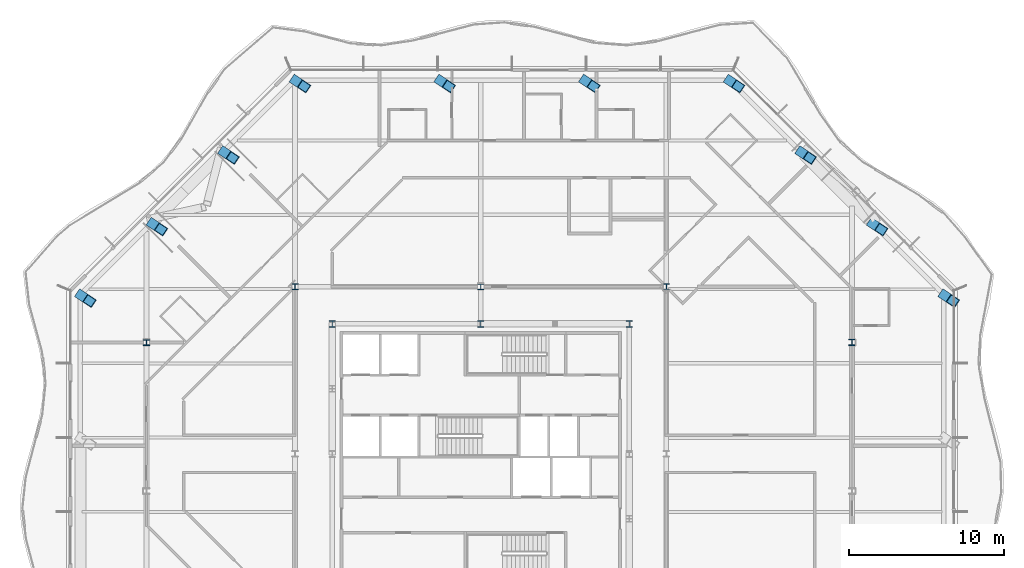
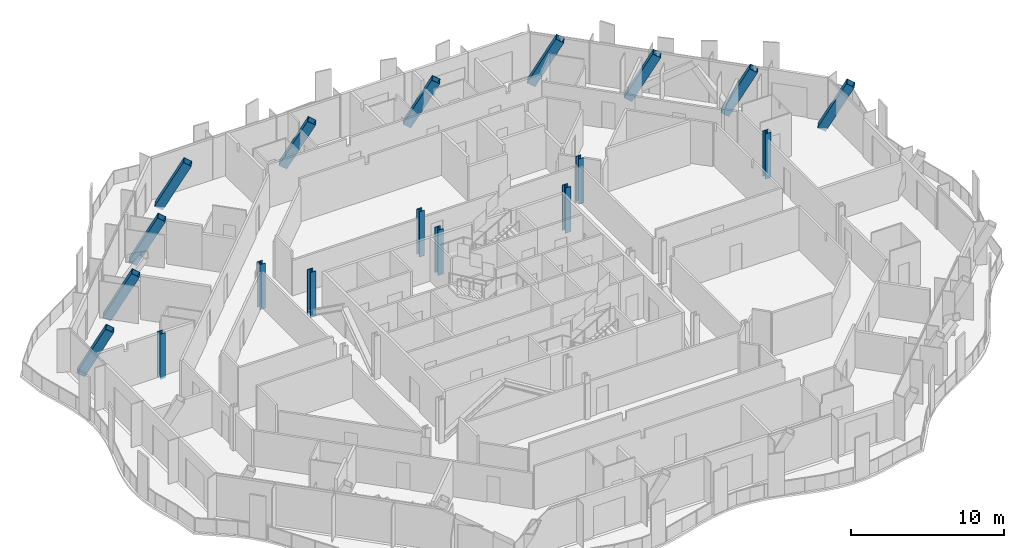
# One storey, part 2 of 21: 18 columns.
"""IFC4 building model written with IfcOpenShell, lengths in metres."""

from ifc_helpers import new_model, si_unit, direction, frame, origin, origin_2d, place, context, subcontext, project, spatial, hollow_rectangle, i_section, extrude, clip, halfspace, material, material_profile, profile_set, type_object, element, save


model = new_model("IFC4")

# Units and contexts
model_context = context("Model", 3, precision=1e-05, world=origin(), true_north=direction((0.0, 1.0)))
body_context = subcontext(model_context, "Body", "Model", "MODEL_VIEW")
ifc_project = project(units=[si_unit("LENGTHUNIT", "METRE"), si_unit("AREAUNIT", "SQUARE_METRE"), si_unit("VOLUMEUNIT", "CUBIC_METRE"), si_unit("PLANEANGLEUNIT", "RADIAN"), si_unit("MASSUNIT", "GRAM", prefix="KILO")], contexts=[model_context])

# Site, building, storey
site_placement = place(None, origin())
site = spatial("IfcSite", under=ifc_project, at=site_placement, CompositionType="ELEMENT")
building_placement = place(site_placement, origin())
building = spatial("IfcBuilding", under=site, at=building_placement, Name="Cairn Pilgrim Tower", CompositionType="ELEMENT")
storey_placement = place(building_placement, frame((0.0, 0.0, 183.0)))
storey = spatial("IfcBuildingStorey", under=building, at=storey_placement, Name="L46", CompositionType="ELEMENT", Elevation=183.0)

# Columns
ifc_material_1 = material(Name="Structural steel S460M", Category="steel")
ifc_material_profile_1 = material_profile(ifc_material_1, hollow_rectangle(XDim=0.60009765625, YDim=0.60009765625, WallThickness=0.034912109375, at=origin_2d()), Name="BOX 600x600x35")
ifc_profile_set_1 = profile_set([ifc_material_profile_1], Name="Structural steel S460M")
column_type_1 = type_object("IfcColumnType", Name="BOX 600x600x35", PredefinedType="COLUMN", material=ifc_profile_set_1)
for number, where, z_axis, x_axis, name in (
    (1, (37.125, 12.67724609375, -0.14990234375), (0.387233423141, -0.258175624389, 0.885096391911), (0.554729959787, 0.832030451194, 0.0), "PC2-NE1"),
    (2, (32.500732421875, 17.301513671875, -0.14990234375), (0.387233423141, -0.258175624389, 0.885096391911), (0.554729959787, 0.832030451194, 0.0), "PC2-NE2"),
    (3, (27.87646484375, 21.92578125, -0.14990234375), (0.387233423141, -0.258175624389, 0.885096391911), (0.554729959787, 0.832030451194, 0.0), "PC2-NE3"),
    (4, (23.252197265625, 26.550048828125, -0.14990234375), (0.387233423141, -0.258175624389, 0.885096391911), (0.554729959787, 0.832030451194, 0.0), "PC2-N1"),
    (5, (13.900634765625, 26.550048828125, -0.14990234375), (0.387233423141, -0.258175624389, 0.885096391911), (0.554729959787, 0.832030451194, 0.0), "PC2-N2"),
    (6, (4.54931640625, 26.550048828125, -0.14990234375), (0.387233423141, -0.258175624389, 0.885096391911), (0.554729959787, 0.832030451194, 0.0), "PC2-N3"),
    (7, (-4.80224609375, 26.550048828125, -0.14990234375), (0.387233423141, -0.258175624389, 0.885096391911), (0.554729959787, 0.832030451194, 0.0), "PC2-NW1"),
    (8, (-9.426513671875, 21.92578125, -0.14990234375), (0.387233423141, -0.258175624389, 0.885096391911), (0.554729959787, 0.832030451194, 0.0), "PC2-NW2"),
):
    element("IfcColumn", number, at=place(storey_placement, frame(where, z_axis=z_axis, x_axis=x_axis)), inside=storey, type_object=column_type_1, Name=name, PredefinedType="COLUMN", context=body_context, shape_type="Clipping", body=[
        clip(extrude(hollow_rectangle(XDim=0.60009765625, YDim=0.60009765625, WallThickness=0.034912109375, at=origin_2d()), origin(), (0.0, 0.0, 1.0), 4.067138671875), halfspace(frame((0.0, 0.0, 0.0185546875), z_axis=(0.0, 0.0, 1.0), x_axis=(1.0, 0.0, 0.0)), True)),
    ])
column_1_placement = place(storey_placement, frame((-14.05078125, 17.301513671875, -0.14990234375), z_axis=(0.387284447231, -0.258169622991, 0.885075817486), x_axis=(0.554670435147, 0.832070134288, 0.0)))
element("IfcColumn", 9, at=column_1_placement, inside=storey, type_object=column_type_1, Name="PC2-NW3", PredefinedType="COLUMN", context=body_context, shape_type="Clipping", body=[
    clip(extrude(hollow_rectangle(XDim=0.60009765625, YDim=0.60009765625, WallThickness=0.034912109375, at=origin_2d()), origin(), (0.0, 0.0, 1.0), 4.0673828125), halfspace(frame((0.0, 0.0, 0.0185546875), z_axis=(0.0, 0.0, 1.0), x_axis=(1.0, 0.0, 0.0)), True)),
])
column_2_placement = place(storey_placement, frame((-18.675048828125, 12.67724609375, -0.14990234375), z_axis=(0.387233423141, -0.258175624389, 0.885096391911), x_axis=(0.554729959787, 0.832030451194, 0.0)))
element("IfcColumn", 10, at=column_2_placement, inside=storey, type_object=column_type_1, Name="PC2-W1", PredefinedType="COLUMN", context=body_context, shape_type="Clipping", body=[
    clip(extrude(hollow_rectangle(XDim=0.60009765625, YDim=0.60009765625, WallThickness=0.034912109375, at=origin_2d()), origin(), (0.0, 0.0, 1.0), 4.067138671875), halfspace(frame((0.0, 0.0, 0.0185546875), z_axis=(0.0, 0.0, 1.0), x_axis=(1.0, 0.0, 0.0)), True)),
])
ifc_material_2 = material(Name="Structural steel S355J2", Category="steel")
ifc_material_profile_2 = material_profile(ifc_material_2, i_section(OverallWidth=0.39892578125, OverallDepth=0.39306640625, WebThickness=0.022705078125, FlangeThickness=0.03662109375, FilletRadius=0.014892578125, at=origin_2d()), Name="HD 400x287")
ifc_profile_set_2 = profile_set([ifc_material_profile_2], Name="Structural steel S355J2")
column_type_2 = type_object("IfcColumnType", Name="HD 400x287", PredefinedType="COLUMN", material=ifc_profile_set_2)
for number, where, z_axis, x_axis, name in (
    (11, (-4.800048828125, 13.199951171875, -0.14990234375), (0.0, 0.0, 1.0), (1.0, 0.0, 0.0), "IC-6"),
    (12, (7.199951171875, 13.199951171875, -0.14990234375), (0.0, 0.0, 1.0), (1.0, 0.0, 0.0), "IC-7"),
    (13, (19.199951171875, 13.199951171875, -0.14990234375), (0.0, 0.0, 1.0), (1.0, 0.0, 0.0), "IC-8"),
    (14, (-14.39990234375, 9.60009765625, -0.14990234375), (0.0, 0.0, 1.0), (1.0, 0.0, 0.0), "WC-WW+2"),
):
    element("IfcColumn", number, at=place(storey_placement, frame(where, z_axis=z_axis, x_axis=x_axis)), inside=storey, type_object=column_type_2, Name=name, PredefinedType="COLUMN", context=body_context, shape_type="SweptSolid", body=[
        extrude(i_section(OverallWidth=0.39892578125, OverallDepth=0.39306640625, WebThickness=0.022705078125, FlangeThickness=0.03662109375, FilletRadius=0.014892578125, at=origin_2d()), origin(), (0.0, 0.0, 1.0), 3.599853515625),
    ])
ifc_material_profile_3 = material_profile(ifc_material_1, i_section(OverallWidth=0.408935546875, OverallDepth=0.425048828125, WebThickness=0.03271484375, FlangeThickness=0.052490234375, FilletRadius=0.014892578125, at=origin_2d()), Name="HD 400x421")
ifc_profile_set_3 = profile_set([ifc_material_profile_3], Name="Structural steel S460M")
column_type_3 = type_object("IfcColumnType", Name="HD 400x421", PredefinedType="COLUMN", material=ifc_profile_set_3)
column_3_placement = place(storey_placement, frame((31.199951171875, 9.60009765625, -0.14990234375), z_axis=(0.0, 0.0, 1.0), x_axis=(1.0, 0.0, 0.0)))
element("IfcColumn", 15, at=column_3_placement, inside=storey, type_object=column_type_3, Name="WC-WE+2", PredefinedType="COLUMN", context=body_context, shape_type="SweptSolid", body=[
    extrude(i_section(OverallWidth=0.408935546875, OverallDepth=0.425048828125, WebThickness=0.03271484375, FlangeThickness=0.052490234375, FilletRadius=0.014892578125, at=origin_2d()), origin(), (0.0, 0.0, 1.0), 3.599853515625),
])
ifc_material_profile_4 = material_profile(ifc_material_1, i_section(OverallWidth=0.416015625, OverallDepth=0.446044921875, WebThickness=0.0390625, FlangeThickness=0.062744140625, FilletRadius=0.014892578125, at=origin_2d()), Name="HD 400x509")
ifc_profile_set_4 = profile_set([ifc_material_profile_4], Name="Structural steel S460M")
column_type_4 = type_object("IfcColumnType", Name="HD 400x509", PredefinedType="COLUMN", material=ifc_profile_set_4)
for number, where, z_axis, x_axis, name in (
    (16, (-2.39990234375, 10.800048828125, -0.14990234375), (0.0, 0.0, 1.0), (1.0, 0.0, 0.0), "KC-6"),
    (17, (7.199951171875, 10.800048828125, -0.14990234375), (0.0, 0.0, 1.0), (1.0, 0.0, 0.0), "KC-7"),
    (18, (16.800048828125, 10.800048828125, -0.14990234375), (0.0, 0.0, 1.0), (1.0, 0.0, 0.0), "KC-8"),
):
    element("IfcColumn", number, at=place(storey_placement, frame(where, z_axis=z_axis, x_axis=x_axis)), inside=storey, type_object=column_type_4, Name=name, PredefinedType="COLUMN", context=body_context, shape_type="SweptSolid", body=[
        extrude(i_section(OverallWidth=0.416015625, OverallDepth=0.446044921875, WebThickness=0.0390625, FlangeThickness=0.062744140625, FilletRadius=0.014892578125, at=origin_2d()), origin(), (0.0, 0.0, 1.0), 3.599853515625),
    ])

save(model, "model.ifc")
